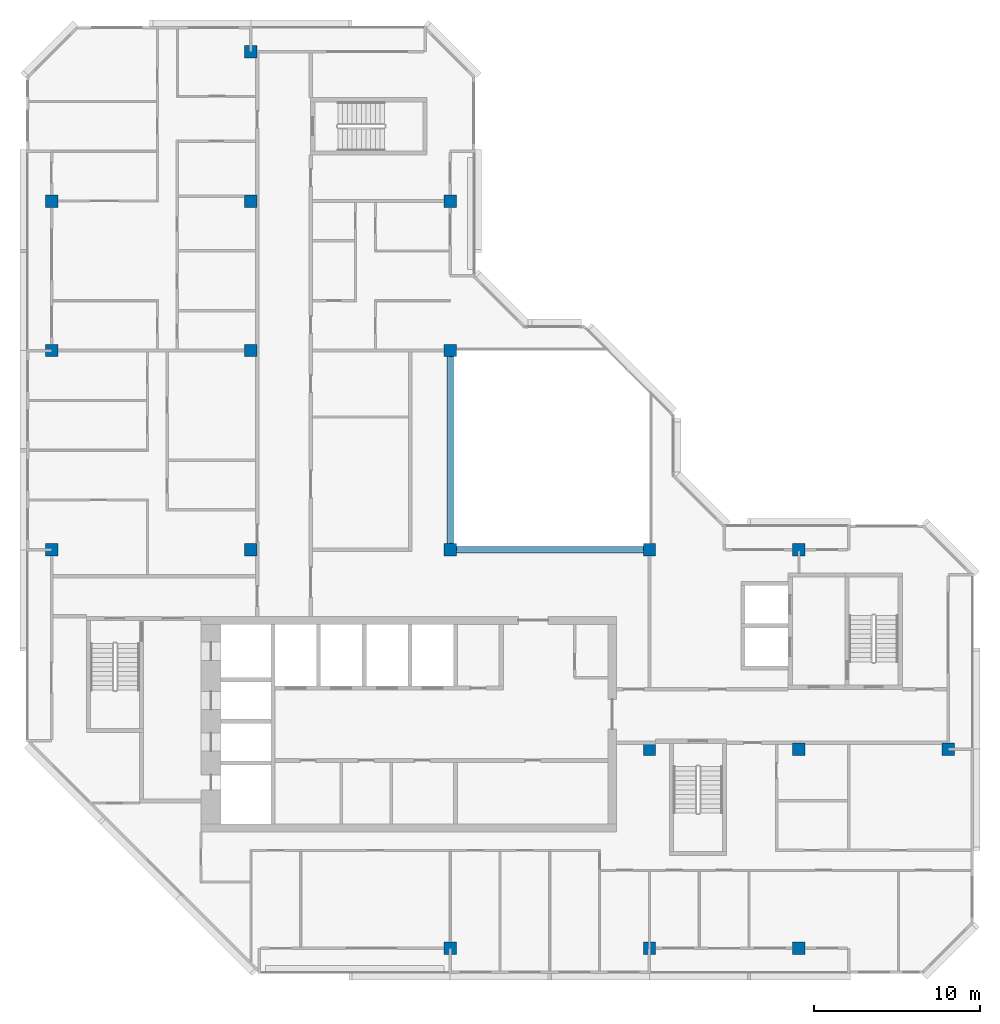
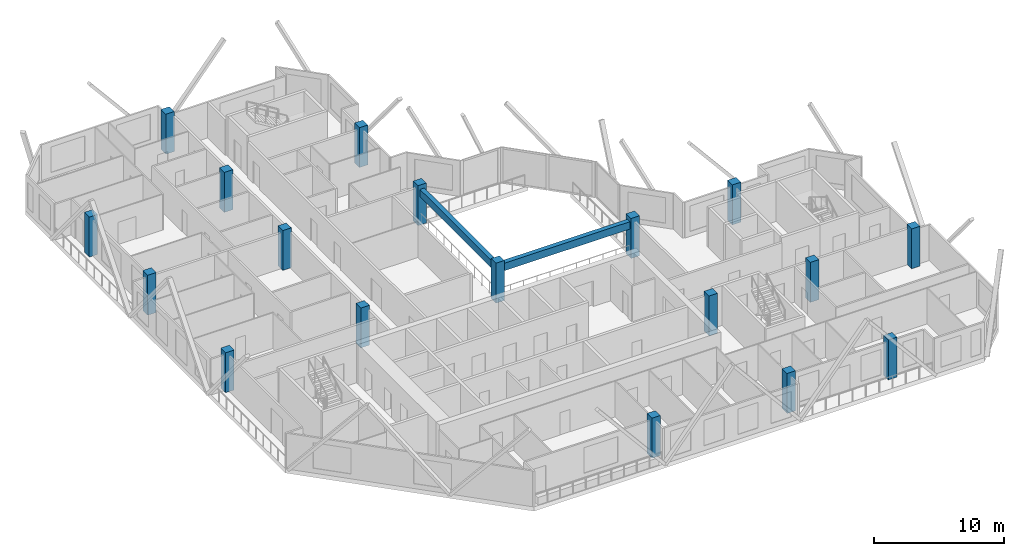
# One storey, part 1 of 12: 18 columns, 2 beams.
"""IFC4 building model written with IfcOpenShell, lengths in metres."""

from ifc_helpers import new_model, si_unit, direction, frame, origin, origin_2d, place, context, subcontext, project, spatial, rectangle, extrude, material, material_profile, profile_set, type_object, element, save


model = new_model("IFC4")

# Units and contexts
model_context = context("Model", 3, precision=1e-05, world=origin(), true_north=direction((0.0, 1.0)))
body_context = subcontext(model_context, "Body", "Model", "MODEL_VIEW")
ifc_project = project(units=[si_unit("LENGTHUNIT", "METRE"), si_unit("AREAUNIT", "SQUARE_METRE"), si_unit("VOLUMEUNIT", "CUBIC_METRE"), si_unit("PLANEANGLEUNIT", "RADIAN"), si_unit("MASSUNIT", "GRAM", prefix="KILO")], contexts=[model_context])

# Site, building, storey
site_placement = place(None, origin())
site = spatial("IfcSite", under=ifc_project, at=site_placement, CompositionType="ELEMENT")
building_placement = place(site_placement, origin())
building = spatial("IfcBuilding", under=site, at=building_placement, Name="Chenar Terraces", CompositionType="ELEMENT")
storey_placement = place(building_placement, frame((0.0, 0.0, 361.39990234375)))
storey = spatial("IfcBuildingStorey", under=building, at=storey_placement, Name="L84", CompositionType="ELEMENT", Elevation=361.39990234375)

# Columns
ifc_material_1 = material(Name="Concrete C50/60", Category="concrete")
ifc_material_profile_1 = material_profile(ifc_material_1, rectangle(XDim=0.75, YDim=0.75, at=origin_2d()), Name="C 750 x 750")
ifc_profile_set_1 = profile_set([ifc_material_profile_1], Name="Concrete C50/60")
column_type = type_object("IfcColumnType", Name="Column C 750 x 750 Concrete C50/60", PredefinedType="COLUMN", material=ifc_profile_set_1)
column_1_placement = place(storey_placement, frame((0.0, 24.0, 0.0), z_axis=(0.0, 0.0, 1.0), x_axis=(1.0, 0.0, 0.0)))
element("IfcColumn", 1, at=column_1_placement, inside=storey, type_object=column_type, Name="Column 5/G L84", PredefinedType="COLUMN", context=body_context, shape_type="SweptSolid", body=[
    extrude(rectangle(XDim=0.75, YDim=0.75, at=origin_2d()), origin(), (0.0, 0.0, 1.0), 3.75),
])
column_2_placement = place(storey_placement, frame((0.0, 36.0, 0.0), z_axis=(0.0, 0.0, 1.0), x_axis=(1.0, 0.0, 0.0)))
element("IfcColumn", 2, at=column_2_placement, inside=storey, type_object=column_type, Name="Column 5/H L84", PredefinedType="COLUMN", context=body_context, shape_type="SweptSolid", body=[
    extrude(rectangle(XDim=0.75, YDim=0.75, at=origin_2d()), origin(), (0.0, 0.0, 1.0), 3.75),
])
for number, where, z_axis, x_axis, name in (
    (3, (0.0, 45.0, 0.0), (0.0, 0.0, 1.0), (1.0, 0.0, 0.0), "Column 5/J L84"),
    (4, (12.0, 24.0, 0.0), (0.0, 0.0, 1.0), (1.0, 0.0, 0.0), "Column 6/G L84"),
    (5, (12.0, 36.0, 0.0), (0.0, 0.0, 1.0), (1.0, 0.0, 0.0), "Column 6/H L84"),
    (6, (12.0, 45.0, 0.0), (0.0, 0.0, 1.0), (1.0, 0.0, 0.0), "Column 6/J L84"),
    (7, (12.0, 54.0, 0.0), (0.0, 0.0, 1.0), (1.0, 0.0, 0.0), "Column 6/K L84"),
    (8, (24.0, 0.0, 0.0), (0.0, 0.0, 1.0), (1.0, 0.0, 0.0), "Column 7/E L84"),
    (9, (24.0, 24.0, 0.0), (0.0, 0.0, 1.0), (1.0, 0.0, 0.0), "Column 7/G L84"),
    (10, (24.0, 36.0, 0.0), (0.0, 0.0, 1.0), (1.0, 0.0, 0.0), "Column 7/H L84"),
    (11, (24.0, 45.0, 0.0), (0.0, 0.0, 1.0), (1.0, 0.0, 0.0), "Column 7/J L84"),
    (12, (36.0, 0.0, 0.0), (0.0, 0.0, 1.0), (1.0, 0.0, 0.0), "Column 8/E L84"),
    (13, (36.0, 12.0, 0.0), (0.0, 0.0, 1.0), (1.0, 0.0, 0.0), "Column 8/F L84"),
    (14, (36.0, 24.0, 0.0), (0.0, 0.0, 1.0), (1.0, 0.0, 0.0), "Column 8/G L84"),
    (15, (45.0, 0.0, 0.0), (0.0, 0.0, 1.0), (1.0, 0.0, 0.0), "Column 9/E L84"),
    (16, (45.0, 12.0, 0.0), (0.0, 0.0, 1.0), (1.0, 0.0, 0.0), "Column 9/F L84"),
    (17, (45.0, 24.0, 0.0), (0.0, 0.0, 1.0), (1.0, 0.0, 0.0), "Column 9/G L84"),
    (18, (54.0, 12.0, 0.0), (0.0, 0.0, 1.0), (1.0, 0.0, 0.0), "Column 10/F L84"),
):
    element("IfcColumn", number, at=place(storey_placement, frame(where, z_axis=z_axis, x_axis=x_axis)), inside=storey, type_object=column_type, Name=name, PredefinedType="COLUMN", context=body_context, shape_type="SweptSolid", body=[
        extrude(rectangle(XDim=0.75, YDim=0.75, at=origin_2d()), origin(), (0.0, 0.0, 1.0), 3.75),
    ])

# Beams
ifc_material_2 = material(Name="Concrete C40/50", Category="concrete")
ifc_material_profile_2 = material_profile(ifc_material_2, rectangle(XDim=0.39990234375, YDim=0.699951171875, at=origin_2d()), Name="RC 400 x 700")
ifc_profile_set_2 = profile_set([ifc_material_profile_2], Name="Concrete C40/50")
beam_type = type_object("IfcBeamType", Name="Atrium edge beam 400 x 700 Concrete C40/50", PredefinedType="BEAM", material=ifc_profile_set_2)
for number, where, z_axis, x_axis, name in (
    (19, (24.375, 24.0, 3.0), (1.0, 0.0, 0.0), (0.0, 1.0, 0.0), "Atrium edge beam L85 1"),
    (20, (24.0, 35.625, 3.0), (0.0, -1.0, 0.0), (1.0, 0.0, 0.0), "Atrium edge beam L85 4"),
):
    element("IfcBeam", number, at=place(storey_placement, frame(where, z_axis=z_axis, x_axis=x_axis)), inside=storey, type_object=beam_type, Name=name, PredefinedType="BEAM", context=body_context, shape_type="SweptSolid", body=[
        extrude(rectangle(XDim=0.39990234375, YDim=0.699951171875, at=origin_2d()), origin(), (0.0, 0.0, 1.0), 11.25),
    ])

save(model, "model.ifc")
